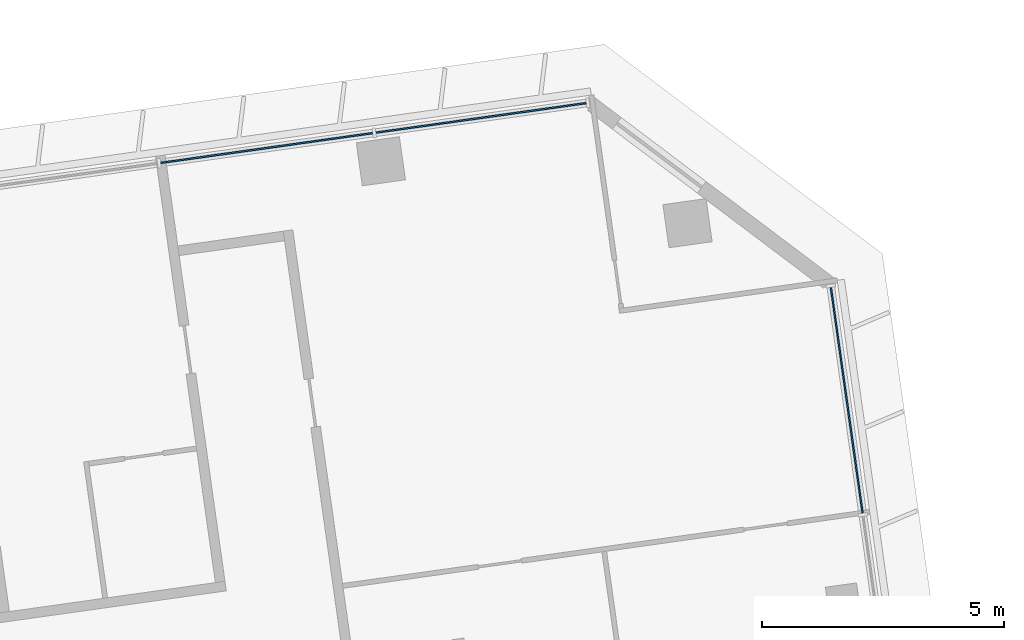
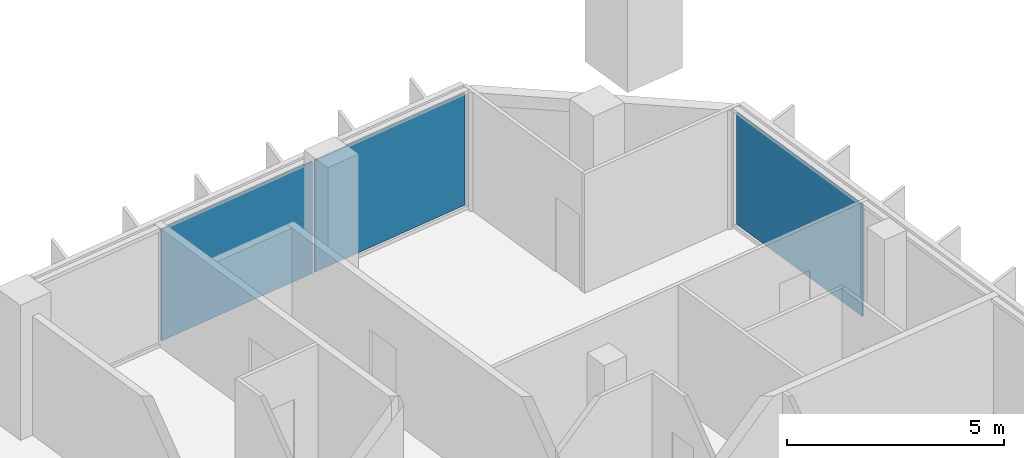
# One storey, part 13 of 27: 3 plates, 2 elements without a shape of their own.
"""IFC4 building model written with IfcOpenShell, lengths in metres."""

from ifc_helpers import new_model, si_unit, direction, frame, origin, origin_2d, place, context, subcontext, project, spatial, rectangle, extrude, material, layer, layer_set, type_object, element, aggregate, save


model = new_model("IFC4")

# Units and contexts
model_context = context("Model", 3, precision=1e-05, world=origin(), true_north=direction((0.0, 1.0)))
body_context = subcontext(model_context, "Body", "Model", "MODEL_VIEW")
ifc_project = project(units=[si_unit("LENGTHUNIT", "METRE"), si_unit("AREAUNIT", "SQUARE_METRE"), si_unit("VOLUMEUNIT", "CUBIC_METRE"), si_unit("PLANEANGLEUNIT", "RADIAN"), si_unit("MASSUNIT", "GRAM", prefix="KILO")], contexts=[model_context])

# Site, building, storey
site_placement = place(None, origin())
site = spatial("IfcSite", under=ifc_project, at=site_placement, CompositionType="ELEMENT")
building_placement = place(site_placement, origin())
building = spatial("IfcBuilding", under=site, at=building_placement, Name="Mirante Cascada Hotel Towers", CompositionType="ELEMENT")
storey_placement = place(building_placement, frame((0.0, 0.0, 117.7)))
storey = spatial("IfcBuildingStorey", under=building, at=storey_placement, Name="L26", CompositionType="ELEMENT", Elevation=117.7)

# Curtain wall, plates
ifc_material_1 = material(Name="Aluminium mullion and transom frame with clear laminated glass", Category="aluminium")
curtain_wall_type_1 = type_object("IfcCurtainWallType", Name="Ribbon curtain wall ECW1", PredefinedType="NOTDEFINED", material=ifc_material_1)
curtain_wall_1_placement = place(storey_placement, origin())
curtain_wall_1 = element("IfcCurtainWall", 1, at=curtain_wall_1_placement, inside=storey, type_object=curtain_wall_type_1, Name="Front ribbon wall T2 L26", PredefinedType="NOTDEFINED")
ifc_material_2 = material(Name="Clear laminated glass", Category="glass")
ifc_layer_1 = layer(ifc_material_2, 0.036)
ifc_layer_set_1 = layer_set([ifc_layer_1], Name="ECW1 glass panel 36")
plate_type_1 = type_object("IfcPlateType", Name="ECW1 glass panel 36", PredefinedType="CURTAIN_PANEL", material=ifc_layer_set_1)
plate_1_placement = place(storey_placement, frame((91.9184, 25.7373, 0.1), z_axis=(0.0, 0.0, 1.0), x_axis=(-0.9902681, -0.1391731, 0.0)))
plate_1 = element("IfcPlate", 2, at=plate_1_placement, type_object=plate_type_1, Name="ECW1 panel 1", PredefinedType="CURTAIN_PANEL", context=body_context, shape_type="SweptSolid", body=[
    extrude(rectangle(XDim=4.3936, YDim=0.036, at=origin_2d()), origin(), (0.0, 0.0, 1.0), 3.15),
])
plate_2_placement = place(storey_placement, frame((87.487, 25.1145, 0.1), z_axis=(0.0, 0.0, 1.0), x_axis=(-0.9902681, -0.1391731, 0.0)))
plate_2 = element("IfcPlate", 3, at=plate_2_placement, type_object=plate_type_1, Name="ECW1 panel 2", PredefinedType="CURTAIN_PANEL", context=body_context, shape_type="SweptSolid", body=[
    extrude(rectangle(XDim=4.4261, YDim=0.036, at=origin_2d()), origin(), (0.0, 0.0, 1.0), 3.15),
])
aggregate(curtain_wall_1, [plate_1, plate_2])

# Curtain wall, plate
ifc_material_3 = material(Name="Aluminium mullion and transom frame with clear laminated glass", Category="aluminium")
curtain_wall_type_2 = type_object("IfcCurtainWallType", Name="End ribbon curtain wall ECW2", PredefinedType="NOTDEFINED", material=ifc_material_3)
curtain_wall_2_placement = place(storey_placement, origin())
curtain_wall_2 = element("IfcCurtainWall", 4, at=curtain_wall_2_placement, inside=storey, type_object=curtain_wall_type_2, Name="Outer end wall T2 L26", PredefinedType="NOTDEFINED")
ifc_material_4 = material(Name="Insulated aluminium spandrel panel", Category="aluminium")
ifc_layer_2 = layer(ifc_material_4, 0.034)
ifc_layer_set_2 = layer_set([ifc_layer_2], Name="ECW2 spandrel panel 34")
plate_type_2 = type_object("IfcPlateType", Name="ECW2 spandrel panel 34", PredefinedType="CURTAIN_PANEL", material=ifc_layer_set_2)
plate_3_placement = place(storey_placement, frame((99.4786, 19.898, 0.1), z_axis=(0.0, 0.0, 1.0), x_axis=(-0.1391731, 0.9902681, 0.0)))
plate_3 = element("IfcPlate", 5, at=plate_3_placement, type_object=plate_type_2, Name="ECW2 panel 6", PredefinedType="CURTAIN_PANEL", context=body_context, shape_type="SweptSolid", body=[
    extrude(rectangle(XDim=4.7151, YDim=0.034, at=origin_2d()), origin(), (0.0, 0.0, 1.0), 3.15),
])
aggregate(curtain_wall_2, [plate_3])

save(model, "model.ifc")
